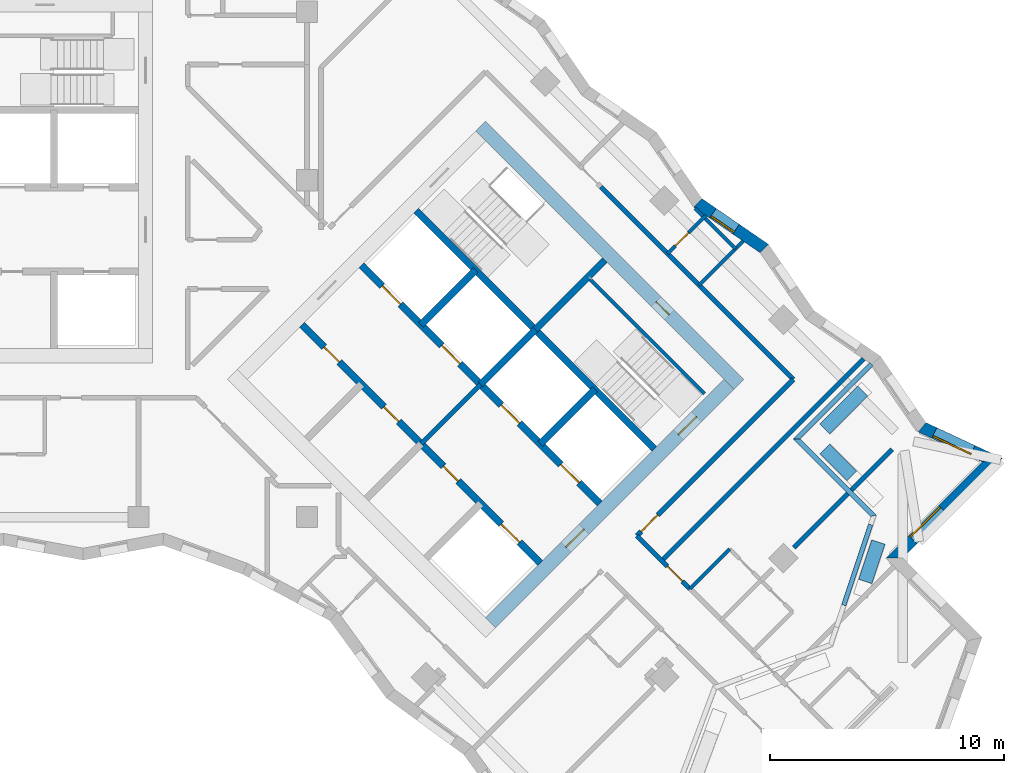
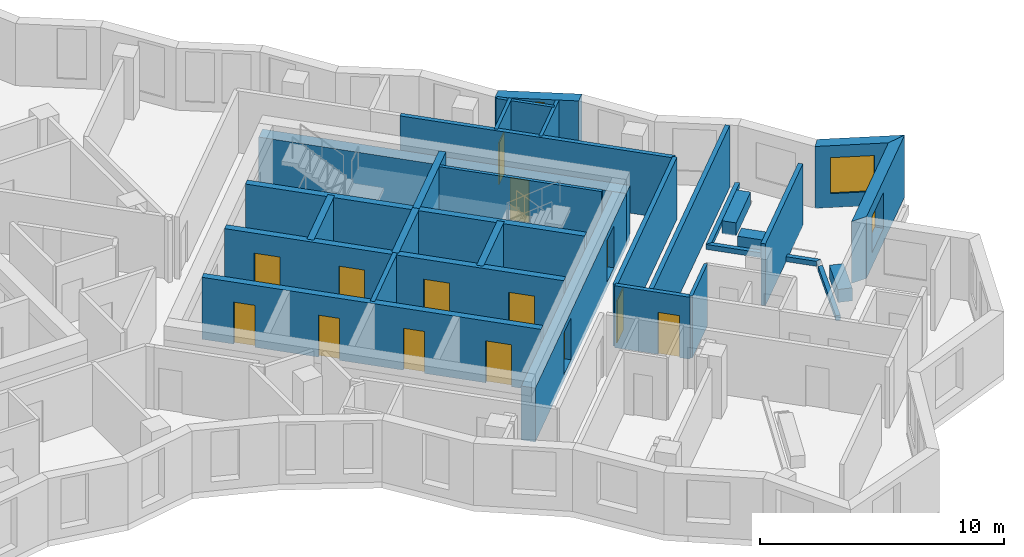
# One storey, part 9 of 13: 30 walls, 14 doors, 3 windows, 17 openings.
"""IFC4 building model written with IfcOpenShell, lengths in metres."""

from ifc_helpers import new_model, si_unit, direction, frame, frame_2d, origin, place, context, subcontext, project, spatial, polyline, rectangle, outline, extrude, material, layer, layer_set, type_object, element, fill, save


model = new_model("IFC4")

# Units and contexts
model_context = context("Model", 3, precision=1e-05, world=origin(), true_north=direction((0.0, 1.0)))
body_context = subcontext(model_context, "Body", "Model", "MODEL_VIEW")
ifc_project = project(units=[si_unit("LENGTHUNIT", "METRE"), si_unit("AREAUNIT", "SQUARE_METRE"), si_unit("VOLUMEUNIT", "CUBIC_METRE"), si_unit("PLANEANGLEUNIT", "RADIAN"), si_unit("MASSUNIT", "GRAM", prefix="KILO")], contexts=[model_context])

# Site, building, storey
site_placement = place(None, origin())
site = spatial("IfcSite", under=ifc_project, at=site_placement, CompositionType="ELEMENT")
building_placement = place(site_placement, origin())
building = spatial("IfcBuilding", under=site, at=building_placement, Name="Windrow Commons", CompositionType="ELEMENT")
storey_placement = place(building_placement, frame((0.0, 0.0, 172.8)))
storey = spatial("IfcBuildingStorey", under=building, at=storey_placement, Name="L47", CompositionType="ELEMENT", Elevation=172.8)

# Wall, opening, window
ifc_material_1 = material(Name="Brick masonry, red clay brick", Category="masonry")
ifc_layer_1 = layer(ifc_material_1, 0.5)
ifc_layer_set_1 = layer_set([ifc_layer_1], Name="Brick facade wall 500")
wall_type_1 = type_object("IfcWallType", Name="Brick facade wall 500", PredefinedType="SOLIDWALL", material=ifc_layer_set_1)
wall_1_placement = place(storey_placement, frame((104.3022, 41.453, 0.0), z_axis=(0.0, 0.0, 1.0), x_axis=(0.7071152225, 0.7070983398, 0.0)))
wall_1 = element("IfcWall", 1, at=wall_1_placement, inside=storey, type_object=wall_type_1, Name="Brick facade wall L47 6", PredefinedType="SOLIDWALL", context=body_context, shape_type="SweptSolid", body=[
    extrude(outline(polyline([(0.25, -0.25), (6.2801, -0.25), (5.5663, 0.25), (-0.25, 0.25), (0.25, -0.25)])), origin(), (0.0, 0.0, 1.0), 3.1),
])
opening_1_placement = place(wall_1_placement, frame((1.125, 0.0, 0.7)))
opening_1 = element("IfcOpeningElement", 2, at=opening_1_placement, cuts=wall_1, Name="Opening W1M", PredefinedType="OPENING", context=body_context, shape_type="SweptSolid", body=[
    extrude(rectangle(XDim=1.8, YDim=1.8, at=frame_2d((0.9, 0.9))), frame((0.0, 0.26, 0.0), z_axis=(0.0, -1.0, 0.0), x_axis=(1.0, 0.0, 0.0)), (0.0, 0.0, 1.0), 0.52),
])
ifc_material_2 = material(Name="Clear float glass in anodised aluminium frame", Category="aluminium")
window_type_1 = type_object("IfcWindowType", Name="Window W1M bedroom 1800x1800", PartitioningType="SINGLE_PANEL", PredefinedType="WINDOW", material=ifc_material_2)
window_1_placement = place(opening_1_placement, origin())
window_1 = element("IfcWindow", 3, at=window_1_placement, inside=storey, type_object=window_type_1, Name="Window L47 6.1", OverallHeight=1.8, OverallWidth=1.8, PartitioningType="SINGLE_PANEL", PredefinedType="WINDOW", context=body_context, shape_type="SweptSolid", body=[
    extrude(rectangle(XDim=1.8, YDim=1.8, at=frame_2d((0.9, 0.9))), frame((0.0, 0.18, 0.0), z_axis=(0.0, -1.0, 0.0), x_axis=(1.0, 0.0, 0.0)), (0.0, 0.0, 1.0), 0.06),
])
fill(opening_1, window_1)

wall_2_placement = place(storey_placement, frame((108.4906, 45.6413, 0.0), z_axis=(0.0, 0.0, 1.0), x_axis=(-0.9061206526, 0.4230193411, 0.0)))
wall_2 = element("IfcWall", 4, at=wall_2_placement, inside=storey, type_object=wall_type_1, Name="Brick facade wall L47 7", PredefinedType="SOLIDWALL", context=body_context, shape_type="SweptSolid", body=[
    extrude(outline(polyline([(-0.3569, -0.25), (3.244, -0.25), (3.3804, 0.25), (0.3569, 0.25), (-0.3569, -0.25)])), origin(), (0.0, 0.0, 1.0), 3.1),
])
opening_2_placement = place(wall_2_placement, frame((0.9345, 0.0, 0.7)))
opening_2 = element("IfcOpeningElement", 5, at=opening_2_placement, cuts=wall_2, Name="Opening W1M", PredefinedType="OPENING", context=body_context, shape_type="SweptSolid", body=[
    extrude(rectangle(XDim=1.8, YDim=1.8, at=frame_2d((0.9, 0.9))), frame((0.0, 0.26, 0.0), z_axis=(0.0, -1.0, 0.0), x_axis=(1.0, 0.0, 0.0)), (0.0, 0.0, 1.0), 0.52),
])
window_2_placement = place(opening_2_placement, origin())
window_2 = element("IfcWindow", 6, at=window_2_placement, inside=storey, type_object=window_type_1, Name="Window L47 7.1", OverallHeight=1.8, OverallWidth=1.8, PartitioningType="SINGLE_PANEL", PredefinedType="WINDOW", context=body_context, shape_type="SweptSolid", body=[
    extrude(rectangle(XDim=1.8, YDim=1.8, at=frame_2d((0.9, 0.9))), frame((0.0, 0.18, 0.0), z_axis=(0.0, -1.0, 0.0), x_axis=(1.0, 0.0, 0.0)), (0.0, 0.0, 1.0), 0.06),
])
fill(opening_2, window_2)

wall_3_placement = place(storey_placement, frame((98.7436, 54.6848, 0.0), z_axis=(0.0, 0.0, 1.0), x_axis=(-0.8245797835, 0.5657456855, 0.0)))
wall_3 = element("IfcWall", 7, at=wall_3_placement, inside=storey, type_object=wall_type_1, Name="Brick facade wall L47 11", PredefinedType="SOLIDWALL", context=body_context, shape_type="SweptSolid", body=[
    extrude(outline(polyline([(-0.0465, -0.25), (3.3958, -0.25), (3.4889, 0.25), (0.0465, 0.25), (-0.0465, -0.25)])), origin(), (0.0, 0.0, 1.0), 3.1),
])
opening_3_placement = place(wall_3_placement, frame((1.4602, 0.0, 0.45)))
opening_3 = element("IfcOpeningElement", 8, at=opening_3_placement, cuts=wall_3, Name="Opening W7E", PredefinedType="OPENING", context=body_context, shape_type="SweptSolid", body=[
    extrude(rectangle(XDim=1.2, YDim=2.5, at=frame_2d((0.6, 1.25))), frame((0.0, 0.26, 0.0), z_axis=(0.0, -1.0, 0.0), x_axis=(1.0, 0.0, 0.0)), (0.0, 0.0, 1.0), 0.52),
])
ifc_material_3 = material(Name="Clear float glass in anodised aluminium frame", Category="aluminium")
window_type_2 = type_object("IfcWindowType", Name="Window W7 notch 1200x2500", PartitioningType="SINGLE_PANEL", PredefinedType="WINDOW", material=ifc_material_3)
window_3_placement = place(opening_3_placement, origin())
window_3 = element("IfcWindow", 9, at=window_3_placement, inside=storey, type_object=window_type_2, Name="Window L47 11.1", OverallHeight=2.5, OverallWidth=1.2, PartitioningType="SINGLE_PANEL", PredefinedType="WINDOW", context=body_context, shape_type="SweptSolid", body=[
    extrude(rectangle(XDim=1.2, YDim=2.5, at=frame_2d((0.6, 1.25))), frame((0.0, 0.18, 0.0), z_axis=(0.0, -1.0, 0.0), x_axis=(1.0, 0.0, 0.0)), (0.0, 0.0, 1.0), 0.06),
])
fill(opening_3, window_3)

# Walls
ifc_material_4 = material(Name="Blockwork partition", Category="masonry")
ifc_layer_2 = layer(ifc_material_4, 0.2)
ifc_layer_set_2 = layer_set([ifc_layer_2], Name="Fire lobby partition 200")
wall_type_2 = type_object("IfcWallType", Name="Fire lobby partition 200", PredefinedType="PARTITIONING", material=ifc_layer_set_2)
wall_4_placement = place(storey_placement, frame((84.079, 46.332, 0.0), z_axis=(0.0, 0.0, 1.0), x_axis=(0.7071067812, 0.7071067812, 0.0)))
element("IfcWall", 10, at=wall_4_placement, inside=storey, type_object=wall_type_2, Name="W-core-lobby-B-L47", PredefinedType="PARTITIONING", context=body_context, shape_type="SweptSolid", body=[
    extrude(rectangle(XDim=3.6, YDim=0.2, at=frame_2d((1.8, 0.0))), origin(), (0.0, 0.0, 1.0), 3.1),
])
ifc_material_5 = material(Name="Blockwork partition", Category="masonry")
ifc_layer_3 = layer(ifc_material_5, 0.2)
ifc_layer_set_3 = layer_set([ifc_layer_3], Name="IW-CORRIDOR-200")
wall_type_3 = type_object("IfcWallType", Name="IW-CORRIDOR-200", PredefinedType="PARTITIONING", material=ifc_layer_set_3)
wall_5_placement = place(storey_placement, frame((91.7551, 57.3171, 0.0), z_axis=(0.0, 0.0, 1.0), x_axis=(0.7071067812, -0.7071067812, 0.0)))
element("IfcWall", 11, at=wall_5_placement, inside=storey, type_object=wall_type_3, Name="W-L47-W007", PredefinedType="PARTITIONING", context=body_context, shape_type="SweptSolid", body=[
    extrude(rectangle(XDim=11.639, YDim=0.2, at=frame_2d((5.8195, 0.0))), origin(), (0.0, 0.0, 1.0), 3.1),
])

# Wall, opening, door
wall_6_placement = place(storey_placement, frame((93.3058, 42.4082, 0.0), z_axis=(0.0, 0.0, 1.0), x_axis=(0.7071067812, 0.7071067812, 0.0)))
wall_6 = element("IfcWall", 12, at=wall_6_placement, inside=storey, type_object=wall_type_3, Name="W-L47-W011", PredefinedType="PARTITIONING", context=body_context, shape_type="SweptSolid", body=[
    extrude(rectangle(XDim=9.4498, YDim=0.2, at=frame_2d((4.7249, 0.0))), origin(), (0.0, 0.0, 1.0), 3.1),
])
opening_4_placement = place(wall_6_placement, frame((0.2532, 0.0, 0.0)))
opening_4 = element("IfcOpeningElement", 13, at=opening_4_placement, cuts=wall_6, Name="Opening D310F", PredefinedType="OPENING", context=body_context, shape_type="SweptSolid", body=[
    extrude(rectangle(XDim=1.0, YDim=2.1, at=frame_2d((0.5, 1.05))), frame((0.0, 0.11, 0.0), z_axis=(0.0, -1.0, 0.0), x_axis=(1.0, 0.0, 0.0)), (0.0, 0.0, 1.0), 0.22),
])
ifc_material_6 = material(Name="Timber door leaf", Category="wood")
door_type_1 = type_object("IfcDoorType", Name="DT-AMENITY-1000", OperationType="SINGLE_SWING_LEFT", PredefinedType="DOOR", material=ifc_material_6)
door_1_placement = place(opening_4_placement, origin())
door_1 = element("IfcDoor", 14, at=door_1_placement, inside=storey, type_object=door_type_1, Name="D-L47-D042", OperationType="SINGLE_SWING_RIGHT", OverallHeight=2.1, OverallWidth=1.0, PredefinedType="DOOR", context=body_context, shape_type="SweptSolid", body=[
    extrude(rectangle(XDim=1.0, YDim=2.1, at=frame_2d((0.5, 1.05))), frame((0.0, 0.025, 0.0), z_axis=(0.0, -1.0, 0.0), x_axis=(1.0, 0.0, 0.0)), (0.0, 0.0, 1.0), 0.05),
])
fill(opening_4, door_1)

wall_7_placement = place(storey_placement, frame((93.305, 42.403, 0.0), z_axis=(0.0, 0.0, 1.0), x_axis=(0.7071067812, -0.7071067812, 0.0)))
wall_7 = element("IfcWall", 15, at=wall_7_placement, inside=storey, type_object=wall_type_3, Name="W-L47-W058", PredefinedType="PARTITIONING", context=body_context, shape_type="SweptSolid", body=[
    extrude(rectangle(XDim=3.199, YDim=0.2, at=frame_2d((1.5995, 0.0))), origin(), (0.0, 0.0, 1.0), 3.1),
])
opening_5_placement = place(wall_7_placement, frame((1.848, 0.0, 0.0)))
opening_5 = element("IfcOpeningElement", 16, at=opening_5_placement, cuts=wall_7, Name="Opening D109S", PredefinedType="OPENING", context=body_context, shape_type="SweptSolid", body=[
    extrude(rectangle(XDim=0.9, YDim=2.1, at=frame_2d((0.45, 1.05))), frame((0.0, 0.11, 0.0), z_axis=(0.0, -1.0, 0.0), x_axis=(1.0, 0.0, 0.0)), (0.0, 0.0, 1.0), 0.22),
])
ifc_material_7 = material(Name="Timber door leaf", Category="wood")
door_type_2 = type_object("IfcDoorType", Name="DT-BEDROOM-900", OperationType="SINGLE_SWING_LEFT", PredefinedType="DOOR", material=ifc_material_7)
door_2_placement = place(opening_5_placement, origin())
door_2 = element("IfcDoor", 17, at=door_2_placement, inside=storey, type_object=door_type_2, Name="D-L47-D043", OperationType="SINGLE_SWING_RIGHT", OverallHeight=2.1, OverallWidth=0.9, PredefinedType="DOOR", context=body_context, shape_type="SweptSolid", body=[
    extrude(rectangle(XDim=0.9, YDim=2.1, at=frame_2d((0.45, 1.05))), frame((0.0, 0.025, 0.0), z_axis=(0.0, -1.0, 0.0), x_axis=(1.0, 0.0, 0.0)), (0.0, 0.0, 1.0), 0.05),
])
fill(opening_5, door_2)

# Walls
ifc_material_8 = material(Name="Blockwork partition", Category="masonry")
ifc_layer_4 = layer(ifc_material_8, 0.15)
ifc_layer_set_4 = layer_set([ifc_layer_4], Name="IW-ENSUITE-150")
wall_type_4 = type_object("IfcWallType", Name="IW-ENSUITE-150", PredefinedType="PARTITIONING", material=ifc_layer_set_4)
wall_8_placement = place(storey_placement, frame((95.9573, 53.1207, 0.0), z_axis=(0.0, 0.0, 1.0), x_axis=(0.7070879914, 0.7071255705, 0.0)))
element("IfcWall", 18, at=wall_8_placement, inside=storey, type_object=wall_type_4, Name="W-L47-W064", PredefinedType="PARTITIONING", context=body_context, shape_type="SweptSolid", body=[
    extrude(rectangle(XDim=2.6611, YDim=0.15, at=frame_2d((1.3305, 0.0))), origin(), (0.0, 0.0, 1.0), 3.1),
])
wall_9_placement = place(storey_placement, frame((95.7788, 56.4048, 0.0), z_axis=(0.0, 0.0, 1.0), x_axis=(0.7071067812, -0.7071067812, 0.0)))
element("IfcWall", 19, at=wall_9_placement, inside=storey, type_object=wall_type_4, Name="W-L47-W068", PredefinedType="PARTITIONING", context=body_context, shape_type="SweptSolid", body=[
    extrude(rectangle(XDim=2.4494, YDim=0.15, at=frame_2d((1.2247, 0.0))), origin(), (0.0, 0.0, 1.0), 3.1),
])
wall_10_placement = place(storey_placement, frame((95.571, 40.143, 0.0), z_axis=(0.0, 0.0, 1.0), x_axis=(0.706689978, 0.7075233388, 0.0)))
element("IfcWall", 20, at=wall_10_placement, inside=storey, type_object=wall_type_4, Name="W-L47-W093", PredefinedType="PARTITIONING", context=body_context, shape_type="SweptSolid", body=[
    extrude(rectangle(XDim=2.3999, YDim=0.15, at=frame_2d((1.2, 0.0))), origin(), (0.0, 0.0, 1.0), 3.1),
])

# Wall, opening, door
wall_11_placement = place(storey_placement, frame((94.6138, 54.4642, 0.0), z_axis=(0.0, 0.0, 1.0), x_axis=(0.7070851111, 0.7071284506, 0.0)))
wall_11 = element("IfcWall", 21, at=wall_11_placement, inside=storey, type_object=wall_type_4, Name="W-L47-W102", PredefinedType="PARTITIONING", context=body_context, shape_type="SweptSolid", body=[
    extrude(rectangle(XDim=2.3074, YDim=0.15, at=frame_2d((1.1537, 0.0))), origin(), (0.0, 0.0, 1.0), 3.1),
])
opening_6_placement = place(wall_11_placement, frame((0.4662, 0.0, 0.0)))
opening_6 = element("IfcOpeningElement", 22, at=opening_6_placement, cuts=wall_11, Name="Opening D208N", PredefinedType="OPENING", context=body_context, shape_type="SweptSolid", body=[
    extrude(rectangle(XDim=0.8, YDim=2.1, at=frame_2d((0.4, 1.05))), frame((0.0, 0.085, 0.0), z_axis=(0.0, -1.0, 0.0), x_axis=(1.0, 0.0, 0.0)), (0.0, 0.0, 1.0), 0.17),
])
ifc_material_9 = material(Name="Timber door leaf", Category="wood")
door_type_3 = type_object("IfcDoorType", Name="DT-ENSUITE-800", OperationType="SINGLE_SWING_LEFT", PredefinedType="DOOR", material=ifc_material_9)
door_3_placement = place(opening_6_placement, origin())
door_3 = element("IfcDoor", 23, at=door_3_placement, inside=storey, type_object=door_type_3, Name="D-L47-D048", OperationType="SINGLE_SWING_RIGHT", OverallHeight=2.1, OverallWidth=0.8, PredefinedType="DOOR", context=body_context, shape_type="SweptSolid", body=[
    extrude(rectangle(XDim=0.8, YDim=2.1, at=frame_2d((0.4, 1.05))), frame((0.0, 0.025, 0.0), z_axis=(0.0, -1.0, 0.0), x_axis=(1.0, 0.0, 0.0)), (0.0, 0.0, 1.0), 0.05),
])
fill(opening_6, door_3)

# Walls
ifc_material_10 = material(Name="Blockwork partition", Category="masonry")
ifc_layer_5 = layer(ifc_material_10, 0.2)
ifc_layer_set_5 = layer_set([ifc_layer_5], Name="IW-PARTY-200")
wall_type_5 = type_object("IfcWallType", Name="IW-PARTY-200", PredefinedType="PARTITIONING", material=ifc_layer_set_5)
wall_12_placement = place(storey_placement, frame((94.3664, 41.3476, 0.0), z_axis=(0.0, 0.0, 1.0), x_axis=(0.7071108825, 0.7071026798, 0.0)))
element("IfcWall", 24, at=wall_12_placement, inside=storey, type_object=wall_type_5, Name="W-L47-W005", PredefinedType="PARTITIONING", context=body_context, shape_type="SweptSolid", body=[
    extrude(rectangle(XDim=12.1912, YDim=0.2, at=frame_2d((6.0956, 0.0))), origin(), (0.0, 0.0, 1.0), 3.1),
])
wall_13_placement = place(storey_placement, frame((100.0168, 41.9012, 0.0), z_axis=(0.0, 0.0, 1.0), x_axis=(0.7072754814, 0.7069380408, 0.0)))
element("IfcWall", 25, at=wall_13_placement, inside=storey, type_object=wall_type_5, Name="W-L47-W028", PredefinedType="PARTITIONING", context=body_context, shape_type="SweptSolid", body=[
    extrude(rectangle(XDim=5.927, YDim=0.2, at=frame_2d((2.9635, 0.0))), origin(), (0.0, 0.0, 1.0), 3.1),
])
ifc_material_11 = material(Name="Concrete C30/37 planter wall", Category="concrete")
ifc_layer_6 = layer(ifc_material_11, 0.6)
ifc_layer_set_6 = layer_set([ifc_layer_6], Name="Planter 600x450")
wall_type_6 = type_object("IfcWallType", Name="Planter 600x450", PredefinedType="SOLIDWALL", material=ifc_layer_set_6)
wall_14_placement = place(storey_placement, frame((101.3325, 46.1199, 0.0), z_axis=(0.0, 0.0, 1.0), x_axis=(0.7070761738, -0.7071373872, 0.0)))
element("IfcWall", 26, at=wall_14_placement, inside=storey, type_object=wall_type_6, Name="PLANTER TR-L47-1.2", PredefinedType="SOLIDWALL", context=body_context, shape_type="SweptSolid", body=[
    extrude(rectangle(XDim=1.6336, YDim=0.6, at=frame_2d((0.8168, 0.0))), origin(), (0.0, 0.0, 1.0), 0.65),
])
wall_15_placement = place(storey_placement, frame((103.6229, 42.1382, 0.0), z_axis=(0.0, 0.0, 1.0), x_axis=(-0.3162446684, -0.9486776638, 0.0)))
element("IfcWall", 27, at=wall_15_placement, inside=storey, type_object=wall_type_6, Name="PLANTER TR-L47-1.3", PredefinedType="SOLIDWALL", context=body_context, shape_type="SweptSolid", body=[
    extrude(rectangle(XDim=1.7749, YDim=0.6, at=frame_2d((0.8874, 0.0))), origin(), (0.0, 0.0, 1.0), 0.65),
])
wall_16_placement = place(storey_placement, frame((102.9505, 48.5865, 0.0), z_axis=(0.0, 0.0, 1.0), x_axis=(-0.7071067812, -0.7071067812, 0.0)))
element("IfcWall", 28, at=wall_16_placement, inside=storey, type_object=wall_type_6, Name="PLANTER TR-L47-1.1", PredefinedType="SOLIDWALL", context=body_context, shape_type="SweptSolid", body=[
    extrude(outline(polyline([(0.0, -0.3), (2.2882, -0.3), (2.2882, 0.3), (0.0, 0.3), (0.0, -0.3)])), origin(), (0.0, 0.0, 1.0), 0.65),
])

# Wall, opening, door
ifc_material_12 = material(Name="Concrete C50/60", Category="concrete")
ifc_layer_7 = layer(ifc_material_12, 0.6)
ifc_layer_set_7 = layer_set([ifc_layer_7], Name="RC CORE WALL 600 C50/60")
wall_type_7 = type_object("IfcWallType", Name="RC CORE WALL 600 C50/60", PredefinedType="SHEAR", material=ifc_layer_set_7)
wall_17_placement = place(storey_placement, frame((86.6246, 59.9085, -0.3), z_axis=(0.0, 0.0, 1.0), x_axis=(0.7071067812, -0.7071067812, 0.0)))
wall_17 = element("IfcWall", 29, at=wall_17_placement, inside=storey, type_object=wall_type_7, Name="Core B wall outer-N", PredefinedType="SHEAR", context=body_context, shape_type="SweptSolid", body=[
    extrude(rectangle(XDim=15.6, YDim=0.6, at=frame_2d((7.8, 0.0))), origin(), (0.0, 0.0, 1.0), 2.7),
])
opening_7_placement = place(wall_17_placement, frame((10.6, 0.0, 0.3)))
opening_7 = element("IfcOpeningElement", 30, at=opening_7_placement, cuts=wall_17, Name="Opening D9", PredefinedType="OPENING", context=body_context, shape_type="SweptSolid", body=[
    extrude(rectangle(XDim=0.8, YDim=2.1, at=frame_2d((0.4, 1.05))), frame((0.0, 0.31, 0.0), z_axis=(0.0, -1.0, 0.0), x_axis=(1.0, 0.0, 0.0)), (0.0, 0.0, 1.0), 0.62),
])
ifc_material_13 = material(Name="Steel fire door leaf", Category="steel")
door_type_4 = type_object("IfcDoorType", Name="Riser access door 800", OperationType="SINGLE_SWING_LEFT", PredefinedType="DOOR", material=ifc_material_13)
door_4_placement = place(opening_7_placement, origin())
door_4 = element("IfcDoor", 31, at=door_4_placement, inside=storey, type_object=door_type_4, Name="Riser access door", OperationType="SINGLE_SWING_RIGHT", OverallHeight=2.1, OverallWidth=0.8, PredefinedType="DOOR", context=body_context, shape_type="SweptSolid", body=[
    extrude(rectangle(XDim=0.8, YDim=2.1, at=frame_2d((0.4, 1.05))), frame((0.0, 0.025, 0.0), z_axis=(0.0, -1.0, 0.0), x_axis=(1.0, 0.0, 0.0)), (0.0, 0.0, 1.0), 0.05),
])
fill(opening_7, door_4)

# Wall, openings, doors
wall_18_placement = place(storey_placement, frame((87.0489, 38.6953, -0.3), z_axis=(0.0, 0.0, 1.0), x_axis=(0.7071067812, 0.7071067812, 0.0)))
wall_18 = element("IfcWall", 32, at=wall_18_placement, inside=storey, type_object=wall_type_7, Name="Core B wall outer-E", PredefinedType="SHEAR", context=body_context, shape_type="SweptSolid", body=[
    extrude(rectangle(XDim=14.3999, YDim=0.6, at=frame_2d((7.2, 0.0))), origin(), (0.0, 0.0, 1.0), 2.7),
])
opening_8_placement = place(wall_18_placement, frame((4.55, 0.0, 0.3)))
opening_8 = element("IfcOpeningElement", 33, at=opening_8_placement, cuts=wall_18, Name="Opening D6", PredefinedType="OPENING", context=body_context, shape_type="SweptSolid", body=[
    extrude(rectangle(XDim=1.1, YDim=2.1, at=frame_2d((0.55, 1.05))), frame((0.0, 0.31, 0.0), z_axis=(0.0, -1.0, 0.0), x_axis=(1.0, 0.0, 0.0)), (0.0, 0.0, 1.0), 0.62),
])
opening_9_placement = place(wall_18_placement, frame((11.35, 0.0, 0.3)))
opening_9 = element("IfcOpeningElement", 34, at=opening_9_placement, cuts=wall_18, Name="Opening D7", PredefinedType="OPENING", context=body_context, shape_type="SweptSolid", body=[
    extrude(rectangle(XDim=1.1, YDim=2.1, at=frame_2d((0.55, 1.05))), frame((0.0, 0.31, 0.0), z_axis=(0.0, -1.0, 0.0), x_axis=(1.0, 0.0, 0.0)), (0.0, 0.0, 1.0), 0.62),
])
ifc_material_14 = material(Name="Steel fire door leaf", Category="steel")
door_type_5 = type_object("IfcDoorType", Name="Core lobby door 1100", OperationType="SINGLE_SWING_LEFT", PredefinedType="DOOR", material=ifc_material_14)
door_5_placement = place(opening_8_placement, origin())
door_5 = element("IfcDoor", 35, at=door_5_placement, inside=storey, type_object=door_type_5, Name="Lift lobby door", OperationType="DOUBLE_DOOR_SINGLE_SWING", OverallHeight=2.1, OverallWidth=1.1, PredefinedType="DOOR", context=body_context, shape_type="SweptSolid", body=[
    extrude(rectangle(XDim=1.1, YDim=2.1, at=frame_2d((0.55, 1.05))), frame((0.0, 0.025, 0.0), z_axis=(0.0, -1.0, 0.0), x_axis=(1.0, 0.0, 0.0)), (0.0, 0.0, 1.0), 0.05),
])
fill(opening_8, door_5)
ifc_material_15 = material(Name="Steel fire door leaf", Category="steel")
door_type_6 = type_object("IfcDoorType", Name="Stair door 1100", OperationType="SINGLE_SWING_LEFT", PredefinedType="DOOR", material=ifc_material_15)
door_6_placement = place(opening_9_placement, origin())
door_6 = element("IfcDoor", 36, at=door_6_placement, inside=storey, type_object=door_type_6, Name="Stair door", OperationType="SINGLE_SWING_RIGHT", OverallHeight=2.1, OverallWidth=1.1, PredefinedType="DOOR", context=body_context, shape_type="SweptSolid", body=[
    extrude(rectangle(XDim=1.1, YDim=2.1, at=frame_2d((0.55, 1.05))), frame((0.0, 0.025, 0.0), z_axis=(0.0, -1.0, 0.0), x_axis=(1.0, 0.0, 0.0)), (0.0, 0.0, 1.0), 0.05),
])
fill(opening_9, door_6)

# Walls
ifc_material_16 = material(Name="Concrete C50/60", Category="concrete")
ifc_layer_8 = layer(ifc_material_16, 0.3)
ifc_layer_set_8 = layer_set([ifc_layer_8], Name="RC SHAFT WALL 300 C50/60")
wall_type_8 = type_object("IfcWallType", Name="RC SHAFT WALL 300 C50/60", PredefinedType="SOLIDWALL", material=ifc_layer_set_8)
wall_19_placement = place(storey_placement, frame((84.079, 51.4232, 0.0), z_axis=(0.0, 0.0, 1.0), x_axis=(0.7071219326, 0.7070916295, 0.0)))
element("IfcWall", 37, at=wall_19_placement, inside=storey, type_object=wall_type_8, Name="Core B wall shaft-N1", PredefinedType="SOLIDWALL", context=body_context, shape_type="SweptSolid", body=[
    extrude(rectangle(XDim=3.3, YDim=0.3, at=frame_2d((1.65, 0.0))), origin(), (0.0, 0.0, 1.0), 3.1),
])
for number, where, z_axis, x_axis, name in (
    (38, (86.6246, 48.8776, 0.0), (0.0, 0.0, 1.0), (0.7071067812, 0.7071067812, 0.0), "Core B wall shaft-N2"),
    (39, (89.1702, 46.332, 0.0), (0.0, 0.0, 1.0), (0.7071067812, 0.7071067812, 0.0), "Core B wall shaft-N3"),
):
    element("IfcWall", number, at=place(storey_placement, frame(where, z_axis=z_axis, x_axis=x_axis)), inside=storey, type_object=wall_type_8, Name=name, PredefinedType="SOLIDWALL", context=body_context, shape_type="SweptSolid", body=[
        extrude(rectangle(XDim=3.3001, YDim=0.3, at=frame_2d((1.6501, 0.0))), origin(), (0.0, 0.0, 1.0), 3.1),
    ])

# Wall, openings, doors
wall_20_placement = place(storey_placement, frame((78.9879, 51.4232, 0.0), z_axis=(0.0, 0.0, 1.0), x_axis=(0.7071067812, -0.7071067812, 0.0)))
wall_20 = element("IfcWall", 40, at=wall_20_placement, inside=storey, type_object=wall_type_8, Name="Core B wall lobby-S", PredefinedType="SOLIDWALL", context=body_context, shape_type="SweptSolid", body=[
    extrude(rectangle(XDim=14.3999, YDim=0.3, at=frame_2d((7.2, 0.0))), origin(), (0.0, 0.0, 1.0), 3.1),
])
opening_10_placement = place(wall_20_placement, frame((1.35, 0.0, 0.0)))
opening_10 = element("IfcOpeningElement", 41, at=opening_10_placement, cuts=wall_20, Name="Opening D8", PredefinedType="OPENING", context=body_context, shape_type="SweptSolid", body=[
    extrude(rectangle(XDim=0.9, YDim=2.1, at=frame_2d((0.45, 1.05))), frame((0.0, 0.16, 0.0), z_axis=(0.0, -1.0, 0.0), x_axis=(1.0, 0.0, 0.0)), (0.0, 0.0, 1.0), 0.32),
])
opening_11_placement = place(wall_20_placement, frame((4.95, 0.0, 0.0)))
opening_11 = element("IfcOpeningElement", 42, at=opening_11_placement, cuts=wall_20, Name="Opening D8", PredefinedType="OPENING", context=body_context, shape_type="SweptSolid", body=[
    extrude(rectangle(XDim=0.9, YDim=2.1, at=frame_2d((0.45, 1.05))), frame((0.0, 0.16, 0.0), z_axis=(0.0, -1.0, 0.0), x_axis=(1.0, 0.0, 0.0)), (0.0, 0.0, 1.0), 0.32),
])
opening_12_placement = place(wall_20_placement, frame((8.55, 0.0, 0.0)))
opening_12 = element("IfcOpeningElement", 43, at=opening_12_placement, cuts=wall_20, Name="Opening D8", PredefinedType="OPENING", context=body_context, shape_type="SweptSolid", body=[
    extrude(rectangle(XDim=0.9, YDim=2.1, at=frame_2d((0.45, 1.05))), frame((0.0, 0.16, 0.0), z_axis=(0.0, -1.0, 0.0), x_axis=(1.0, 0.0, 0.0)), (0.0, 0.0, 1.0), 0.32),
])
opening_13_placement = place(wall_20_placement, frame((12.05, 0.0, 0.0)))
opening_13 = element("IfcOpeningElement", 44, at=opening_13_placement, cuts=wall_20, Name="Opening LD", PredefinedType="OPENING", context=body_context, shape_type="SweptSolid", body=[
    extrude(rectangle(XDim=1.1, YDim=2.1, at=frame_2d((0.55, 1.05))), frame((0.0, 0.16, 0.0), z_axis=(0.0, -1.0, 0.0), x_axis=(1.0, 0.0, 0.0)), (0.0, 0.0, 1.0), 0.32),
])
ifc_material_17 = material(Name="Steel fire door leaf", Category="steel")
door_type_7 = type_object("IfcDoorType", Name="Core store door 900", OperationType="SINGLE_SWING_LEFT", PredefinedType="DOOR", material=ifc_material_17)
door_7_placement = place(opening_10_placement, origin())
door_7 = element("IfcDoor", 45, at=door_7_placement, inside=storey, type_object=door_type_7, Name="Store door", OperationType="SINGLE_SWING_LEFT", OverallHeight=2.1, OverallWidth=0.9, PredefinedType="DOOR", context=body_context, shape_type="SweptSolid", body=[
    extrude(rectangle(XDim=0.9, YDim=2.1, at=frame_2d((0.45, 1.05))), frame((0.0, 0.025, 0.0), z_axis=(0.0, -1.0, 0.0), x_axis=(1.0, 0.0, 0.0)), (0.0, 0.0, 1.0), 0.05),
])
fill(opening_10, door_7)
door_8_placement = place(opening_11_placement, origin())
door_8 = element("IfcDoor", 46, at=door_8_placement, inside=storey, type_object=door_type_7, Name="Store door", OperationType="SINGLE_SWING_LEFT", OverallHeight=2.1, OverallWidth=0.9, PredefinedType="DOOR", context=body_context, shape_type="SweptSolid", body=[
    extrude(rectangle(XDim=0.9, YDim=2.1, at=frame_2d((0.45, 1.05))), frame((0.0, 0.025, 0.0), z_axis=(0.0, -1.0, 0.0), x_axis=(1.0, 0.0, 0.0)), (0.0, 0.0, 1.0), 0.05),
])
fill(opening_11, door_8)
door_9_placement = place(opening_12_placement, origin())
door_9 = element("IfcDoor", 47, at=door_9_placement, inside=storey, type_object=door_type_7, Name="Store door", OperationType="SINGLE_SWING_LEFT", OverallHeight=2.1, OverallWidth=0.9, PredefinedType="DOOR", context=body_context, shape_type="SweptSolid", body=[
    extrude(rectangle(XDim=0.9, YDim=2.1, at=frame_2d((0.45, 1.05))), frame((0.0, 0.025, 0.0), z_axis=(0.0, -1.0, 0.0), x_axis=(1.0, 0.0, 0.0)), (0.0, 0.0, 1.0), 0.05),
])
fill(opening_12, door_9)
ifc_material_18 = material(Name="Stainless steel door leaf", Category="steel")
door_type_8 = type_object("IfcDoorType", Name="Lift landing door 1100", OperationType="SLIDING_TO_LEFT", PredefinedType="DOOR", material=ifc_material_18)
door_10_placement = place(opening_13_placement, origin())
door_10 = element("IfcDoor", 48, at=door_10_placement, inside=storey, type_object=door_type_8, Name="Lift landing door", OperationType="SLIDING_TO_RIGHT", OverallHeight=2.1, OverallWidth=1.1, PredefinedType="DOOR", context=body_context, shape_type="SweptSolid", body=[
    extrude(rectangle(XDim=1.1, YDim=2.1, at=frame_2d((0.55, 1.05))), frame((0.0, 0.025, 0.0), z_axis=(0.0, -1.0, 0.0), x_axis=(1.0, 0.0, 0.0)), (0.0, 0.0, 1.0), 0.05),
])
fill(opening_13, door_10)

wall_21_placement = place(storey_placement, frame((81.5335, 53.9688, 0.0), z_axis=(0.0, 0.0, 1.0), x_axis=(0.707103309, -0.7071102534, 0.0)))
wall_21 = element("IfcWall", 49, at=wall_21_placement, inside=storey, type_object=wall_type_8, Name="Core B wall lobby-N", PredefinedType="SOLIDWALL", context=body_context, shape_type="SweptSolid", body=[
    extrude(rectangle(XDim=14.4, YDim=0.3, at=frame_2d((7.2, 0.0))), origin(), (0.0, 0.0, 1.0), 3.1),
])
opening_14_placement = place(wall_21_placement, frame((1.25, 0.0, 0.0)))
opening_14 = element("IfcOpeningElement", 50, at=opening_14_placement, cuts=wall_21, Name="Opening LD", PredefinedType="OPENING", context=body_context, shape_type="SweptSolid", body=[
    extrude(rectangle(XDim=1.1, YDim=2.1, at=frame_2d((0.55, 1.05))), frame((0.0, 0.16, 0.0), z_axis=(0.0, -1.0, 0.0), x_axis=(1.0, 0.0, 0.0)), (0.0, 0.0, 1.0), 0.32),
])
opening_15_placement = place(wall_21_placement, frame((4.85, 0.0, 0.0)))
opening_15 = element("IfcOpeningElement", 51, at=opening_15_placement, cuts=wall_21, Name="Opening LD", PredefinedType="OPENING", context=body_context, shape_type="SweptSolid", body=[
    extrude(rectangle(XDim=1.1, YDim=2.1, at=frame_2d((0.55, 1.05))), frame((0.0, 0.16, 0.0), z_axis=(0.0, -1.0, 0.0), x_axis=(1.0, 0.0, 0.0)), (0.0, 0.0, 1.0), 0.32),
])
opening_16_placement = place(wall_21_placement, frame((8.45, 0.0, 0.0)))
opening_16 = element("IfcOpeningElement", 52, at=opening_16_placement, cuts=wall_21, Name="Opening LD", PredefinedType="OPENING", context=body_context, shape_type="SweptSolid", body=[
    extrude(rectangle(XDim=1.1, YDim=2.1, at=frame_2d((0.55, 1.05))), frame((0.0, 0.16, 0.0), z_axis=(0.0, -1.0, 0.0), x_axis=(1.0, 0.0, 0.0)), (0.0, 0.0, 1.0), 0.32),
])
opening_17_placement = place(wall_21_placement, frame((12.05, 0.0, 0.0)))
opening_17 = element("IfcOpeningElement", 53, at=opening_17_placement, cuts=wall_21, Name="Opening LD", PredefinedType="OPENING", context=body_context, shape_type="SweptSolid", body=[
    extrude(rectangle(XDim=1.1, YDim=2.1, at=frame_2d((0.55, 1.05))), frame((0.0, 0.16, 0.0), z_axis=(0.0, -1.0, 0.0), x_axis=(1.0, 0.0, 0.0)), (0.0, 0.0, 1.0), 0.32),
])
door_11_placement = place(opening_14_placement, origin())
door_11 = element("IfcDoor", 54, at=door_11_placement, inside=storey, type_object=door_type_8, Name="Lift landing door", OperationType="SLIDING_TO_LEFT", OverallHeight=2.1, OverallWidth=1.1, PredefinedType="DOOR", context=body_context, shape_type="SweptSolid", body=[
    extrude(rectangle(XDim=1.1, YDim=2.1, at=frame_2d((0.55, 1.05))), frame((0.0, 0.025, 0.0), z_axis=(0.0, -1.0, 0.0), x_axis=(1.0, 0.0, 0.0)), (0.0, 0.0, 1.0), 0.05),
])
fill(opening_14, door_11)
door_12_placement = place(opening_15_placement, origin())
door_12 = element("IfcDoor", 55, at=door_12_placement, inside=storey, type_object=door_type_8, Name="Lift landing door", OperationType="SLIDING_TO_RIGHT", OverallHeight=2.1, OverallWidth=1.1, PredefinedType="DOOR", context=body_context, shape_type="SweptSolid", body=[
    extrude(rectangle(XDim=1.1, YDim=2.1, at=frame_2d((0.55, 1.05))), frame((0.0, 0.025, 0.0), z_axis=(0.0, -1.0, 0.0), x_axis=(1.0, 0.0, 0.0)), (0.0, 0.0, 1.0), 0.05),
])
fill(opening_15, door_12)
door_13_placement = place(opening_16_placement, origin())
door_13 = element("IfcDoor", 56, at=door_13_placement, inside=storey, type_object=door_type_8, Name="Lift landing door", OperationType="SLIDING_TO_LEFT", OverallHeight=2.1, OverallWidth=1.1, PredefinedType="DOOR", context=body_context, shape_type="SweptSolid", body=[
    extrude(rectangle(XDim=1.1, YDim=2.1, at=frame_2d((0.55, 1.05))), frame((0.0, 0.025, 0.0), z_axis=(0.0, -1.0, 0.0), x_axis=(1.0, 0.0, 0.0)), (0.0, 0.0, 1.0), 0.05),
])
fill(opening_16, door_13)
door_14_placement = place(opening_17_placement, origin())
door_14 = element("IfcDoor", 57, at=door_14_placement, inside=storey, type_object=door_type_8, Name="Lift landing door", OperationType="SLIDING_TO_RIGHT", OverallHeight=2.1, OverallWidth=1.1, PredefinedType="DOOR", context=body_context, shape_type="SweptSolid", body=[
    extrude(rectangle(XDim=1.1, YDim=2.1, at=frame_2d((0.55, 1.05))), frame((0.0, 0.025, 0.0), z_axis=(0.0, -1.0, 0.0), x_axis=(1.0, 0.0, 0.0)), (0.0, 0.0, 1.0), 0.05),
])
fill(opening_17, door_14)

# Walls
for number, where, z_axis, x_axis, name in (
    (58, (83.8669, 56.3022, 0.0), (0.0, 0.0, 1.0), (0.7071137256, -0.7070998367, 0.0), "Core B wall stair-S"),
    (59, (88.9581, 51.2111, 0.0), (0.0, 0.0, 1.0), (0.7070998367, -0.7071137256, 0.0), "Core B wall stair-S2"),
):
    element("IfcWall", number, at=place(storey_placement, frame(where, z_axis=z_axis, x_axis=x_axis)), inside=storey, type_object=wall_type_8, Name=name, PredefinedType="SOLIDWALL", context=body_context, shape_type="SweptSolid", body=[
        extrude(rectangle(XDim=7.2, YDim=0.3, at=frame_2d((3.6, 0.0))), origin(), (0.0, 0.0, 1.0), 3.1),
    ])
wall_22_placement = place(storey_placement, frame((88.9581, 51.2111, 0.0), z_axis=(0.0, 0.0, 1.0), x_axis=(0.7071067812, 0.7071067812, 0.0)))
element("IfcWall", 60, at=wall_22_placement, inside=storey, type_object=wall_type_8, Name="Core B wall stair-mid", PredefinedType="SOLIDWALL", context=body_context, shape_type="SweptSolid", body=[
    extrude(rectangle(XDim=4.1999, YDim=0.3, at=frame_2d((2.1, 0.0))), origin(), (0.0, 0.0, 1.0), 3.1),
])
ifc_material_19 = material(Name="Blockwork partition", Category="masonry")
ifc_layer_9 = layer(ifc_material_19, 0.15)
ifc_layer_set_9 = layer_set([ifc_layer_9], Name="Riser partition 150")
wall_type_9 = type_object("IfcWallType", Name="Riser partition 150", PredefinedType="PARTITIONING", material=ifc_layer_set_9)
wall_23_placement = place(storey_placement, frame((91.3127, 53.3536, 0.0), z_axis=(0.0, 0.0, 1.0), x_axis=(0.7071140275, -0.7070995348, 0.0)))
element("IfcWall", 61, at=wall_23_placement, inside=storey, type_object=wall_type_9, Name="W-core-strip-B-L47", PredefinedType="PARTITIONING", context=body_context, shape_type="SweptSolid", body=[
    extrude(rectangle(XDim=6.9, YDim=0.15, at=frame_2d((3.45, 0.0))), origin(), (0.0, 0.0, 1.0), 3.1),
])
ifc_material_20 = material(Name="Brick masonry, red clay brick", Category="masonry")
ifc_layer_10 = layer(ifc_material_20, 0.2)
ifc_layer_set_10 = layer_set([ifc_layer_10], Name="Terrace edge parapet 200")
wall_type_10 = type_object("IfcWallType", Name="Terrace edge parapet 200", PredefinedType="PARAPET", material=ifc_layer_set_10)
wall_24_placement = place(storey_placement, frame((103.3234, 49.7371, 0.0), z_axis=(0.0, 0.0, 1.0), x_axis=(-0.707117854, -0.7070957082, 0.0)))
element("IfcWall", 62, at=wall_24_placement, inside=storey, type_object=wall_type_10, Name="Terrace parapet TR-L47-1.1.1", PredefinedType="PARAPET", context=body_context, shape_type="SweptSolid", body=[
    extrude(outline(polyline([(0.0, -0.1), (4.6155, -0.1), (4.4155, 0.1), (0.0, 0.1), (0.0, -0.1)])), origin(), (0.0, 0.0, 1.0), 0.25),
])
wall_25_placement = place(storey_placement, frame((100.1304, 46.5442, 0.0), z_axis=(0.0, 0.0, 1.0), x_axis=(0.7070852627, -0.707128299, 0.0)))
element("IfcWall", 63, at=wall_25_placement, inside=storey, type_object=wall_type_10, Name="Terrace parapet TR-L47-1.1.2", PredefinedType="PARAPET", context=body_context, shape_type="SweptSolid", body=[
    extrude(outline(polyline([(-0.1, -0.1), (4.5855, -0.1), (4.709, 0.1), (0.1, 0.1), (-0.1, -0.1)])), origin(), (0.0, 0.0, 1.0), 0.25),
])
wall_26_placement = place(storey_placement, frame((103.2909, 42.8812, 0.0), z_axis=(0.0, 0.0, 1.0), x_axis=(-0.3162443117, -0.9486777827, 0.0)))
element("IfcWall", 64, at=wall_26_placement, inside=storey, type_object=wall_type_10, Name="Terrace parapet TR-L47-1.1.4", PredefinedType="PARAPET", context=body_context, shape_type="SweptSolid", body=[
    extrude(outline(polyline([(0.0, -0.1), (3.6263, -0.1), (3.6263, 0.1), (0.0, 0.1), (0.0, -0.1)])), origin(), (0.0, 0.0, 1.0), 0.25),
])

save(model, "model.ifc")
